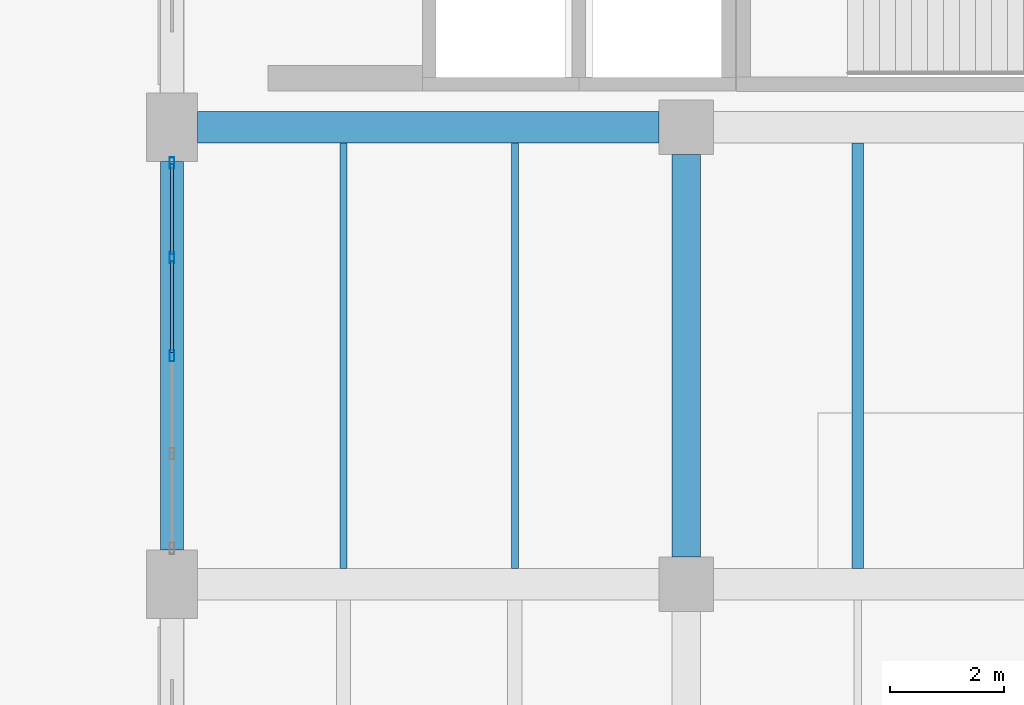
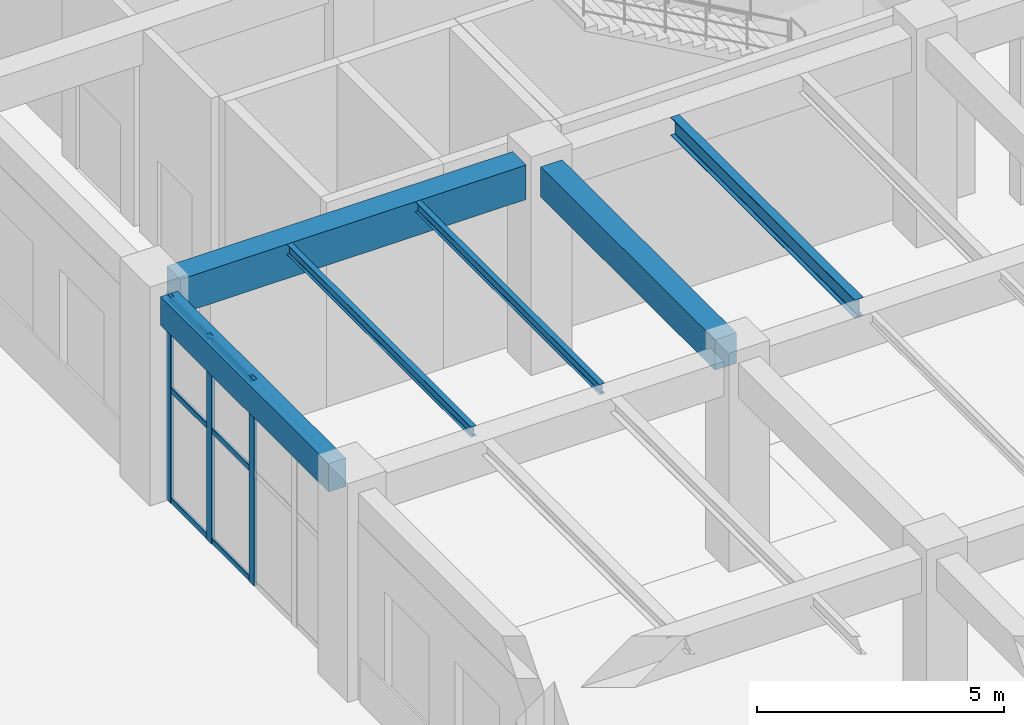
# One storey, part 67 of 121: 9 members, 6 beams, 1 element without a shape of its own.
"""IFC4 building model written with IfcOpenShell, lengths in metres."""

from ifc_helpers import new_model, si_unit, derived_unit, direction, frame, origin, origin_2d, place, context, subcontext, project, spatial, rectangle, hollow_rectangle, i_section, extrude, material, material_profile, profile_set, type_object, element, aggregate, save


model = new_model("IFC4")

# Units and contexts
model_context = context("Model", 3, precision=1e-05, world=origin(), true_north=direction((0.0, 1.0)))
body_context = subcontext(model_context, "Body", "Model", "MODEL_VIEW")
ifc_project = project(units=[si_unit("LENGTHUNIT", "METRE"), si_unit("AREAUNIT", "SQUARE_METRE"), si_unit("VOLUMEUNIT", "CUBIC_METRE"), si_unit("PLANEANGLEUNIT", "RADIAN"), si_unit("MASSUNIT", "GRAM", prefix="KILO"), derived_unit("THERMALTRANSMITTANCEUNIT", [(si_unit("MASSUNIT", "GRAM", prefix="KILO"), 1), (si_unit("TIMEUNIT", "SECOND"), -3), (si_unit("THERMODYNAMICTEMPERATUREUNIT", "KELVIN"), -1)])], contexts=[model_context])

# Site, building, storey
site_placement = place(None, origin())
site = spatial("IfcSite", under=ifc_project, at=site_placement, CompositionType="ELEMENT")
building_placement = place(site_placement, origin())
building = spatial("IfcBuilding", under=site, at=building_placement, Name="Zhenchuan Archway Interchange", CompositionType="ELEMENT")
storey_placement = place(building_placement, origin())
storey = spatial("IfcBuildingStorey", under=building, at=storey_placement, Name="L00", CompositionType="ELEMENT", Elevation=0.0)

# Beams
ifc_material_1 = material(Name="Concrete C40", Category="concrete")
ifc_material_profile_1 = material_profile(ifc_material_1, rectangle(XDim=0.5, YDim=0.75, at=origin_2d()), Name="RC 500x750")
ifc_profile_set_1 = profile_set([ifc_material_profile_1], Name="Concrete C40")
beam_type_1 = type_object("IfcBeamType", Name="BM_RC_500x750", PredefinedType="BEAM", material=ifc_profile_set_1)
beam_1_placement = place(storey_placement, frame((153.0, 40.47509765625, 4.705078125), z_axis=(0.0, 1.0, 0.0), x_axis=(-1.0, 0.0, 0.0)))
element("IfcBeam", 1, at=beam_1_placement, inside=storey, type_object=beam_type_1, Name="Beam 18:F-G (L00)", PredefinedType="BEAM", context=body_context, shape_type="SweptSolid", body=[
    extrude(rectangle(XDim=0.5, YDim=0.75, at=origin_2d()), origin(), (0.0, 0.0, 1.0), 7.0498046875),
])
ifc_material_profile_2 = material_profile(ifc_material_1, rectangle(XDim=0.550048828125, YDim=0.85009765625, at=origin_2d()), Name="RC 550x850")
ifc_profile_set_2 = profile_set([ifc_material_profile_2], Name="Concrete C40")
beam_type_2 = type_object("IfcBeamType", Name="BM_RC_550x850", PredefinedType="BEAM", material=ifc_profile_set_2)
beam_2_placement = place(storey_placement, frame((144.449951171875, 48.0, 4.655029296875), z_axis=(1.0, 0.0, 0.0), x_axis=(0.0, 1.0, 0.0)))
element("IfcBeam", 2, at=beam_2_placement, inside=storey, type_object=beam_type_2, Name="Beam G:17-18 (L00)", PredefinedType="BEAM", context=body_context, shape_type="SweptSolid", body=[
    extrude(rectangle(XDim=0.550048828125, YDim=0.85009765625, at=origin_2d()), origin(), (0.0, 0.0, 1.0), 8.074951171875),
])

# Curtain wall, members
ifc_material_2 = material(Name="Anodised Aluminium", Category="aluminium")
curtain_wall_type = type_object("IfcCurtainWallType", Name="CW_UNIT_2", PredefinedType="NOTDEFINED", material=ifc_material_2)
curtain_wall_placement = place(storey_placement, origin())
curtain_wall = element("IfcCurtainWall", 3, at=curtain_wall_placement, inside=storey, type_object=curtain_wall_type, Name="Unitised curtain wall CW:L00:021", PredefinedType="NOTDEFINED")
ifc_material_profile_3 = material_profile(ifc_material_2, hollow_rectangle(XDim=0.080078125, YDim=0.199951171875, WallThickness=0.00439453125, InnerFilletRadius=0.00439453125, OuterFilletRadius=0.009033203125, at=origin_2d()), Name="ALU 200x80x4.5")
ifc_profile_set_3 = profile_set([ifc_material_profile_3], Name="Anodised Aluminium")
member_type_1 = type_object("IfcMemberType", Name="CW_MUL_200", PredefinedType="MULLION", material=ifc_profile_set_3)
member_1_placement = place(storey_placement, frame((144.0, 44.0, 0.0), z_axis=(0.0, 0.0, 1.0), x_axis=(1.0, 0.0, 0.0)))
member_1 = element("IfcMember", 4, at=member_1_placement, type_object=member_type_1, Name="CW:L00:021 mullion 2", PredefinedType="MULLION", context=body_context, shape_type="SweptSolid", body=[
    extrude(hollow_rectangle(XDim=0.080078125, YDim=0.199951171875, WallThickness=0.00439453125, InnerFilletRadius=0.00439453125, OuterFilletRadius=0.009033203125, at=origin_2d()), origin(), (0.0, 0.0, 1.0), 5.080078125),
])
member_2_placement = place(storey_placement, frame((144.0, 45.716064453125, 0.0), z_axis=(0.0, 0.0, 1.0), x_axis=(1.0, 0.0, 0.0)))
member_2 = element("IfcMember", 5, at=member_2_placement, type_object=member_type_1, Name="CW:L00:021 mullion 3", PredefinedType="MULLION", context=body_context, shape_type="SweptSolid", body=[
    extrude(hollow_rectangle(XDim=0.080078125, YDim=0.199951171875, WallThickness=0.00439453125, InnerFilletRadius=0.00439453125, OuterFilletRadius=0.009033203125, at=origin_2d()), origin(), (0.0, 0.0, 1.0), 5.080078125),
])
member_3_placement = place(storey_placement, frame((144.0, 47.3720703125, 0.0), z_axis=(0.0, 0.0, 1.0), x_axis=(1.0, 0.0, 0.0)))
member_3 = element("IfcMember", 6, at=member_3_placement, type_object=member_type_1, Name="CW:L00:021 mullion 4", PredefinedType="MULLION", context=body_context, shape_type="SweptSolid", body=[
    extrude(hollow_rectangle(XDim=0.080078125, YDim=0.199951171875, WallThickness=0.00439453125, InnerFilletRadius=0.00439453125, OuterFilletRadius=0.009033203125, at=origin_2d()), origin(), (0.0, 0.0, 1.0), 5.080078125),
])
ifc_material_profile_4 = material_profile(ifc_material_2, hollow_rectangle(XDim=0.06005859375, YDim=0.139892578125, WallThickness=0.00341796875, InnerFilletRadius=0.00341796875, OuterFilletRadius=0.007080078125, at=origin_2d()), Name="ALU 140x60x3.5")
ifc_profile_set_4 = profile_set([ifc_material_profile_4], Name="Anodised Aluminium")
member_type_2 = type_object("IfcMemberType", Name="CW_TRN_140", PredefinedType="USERDEFINED", material=ifc_profile_set_4)
member_4_placement = place(storey_placement, frame((144.0, 44.06005859375, 0.06005859375), z_axis=(0.0, 1.0, 0.0), x_axis=(-1.0, 0.0, 0.0)))
member_4 = element("IfcMember", 7, at=member_4_placement, type_object=member_type_2, Name="CW:L00:021 transom 2-1", ObjectType="TRANSOM", PredefinedType="USERDEFINED", context=body_context, shape_type="SweptSolid", body=[
    extrude(hollow_rectangle(XDim=0.06005859375, YDim=0.139892578125, WallThickness=0.00341796875, InnerFilletRadius=0.00341796875, OuterFilletRadius=0.007080078125, at=origin_2d()), origin(), (0.0, 0.0, 1.0), 1.595947265625),
])
member_5_placement = place(storey_placement, frame((144.0, 44.06005859375, 2.782958984375), z_axis=(0.0, 1.0, 0.0), x_axis=(-1.0, 0.0, 0.0)))
member_5 = element("IfcMember", 8, at=member_5_placement, type_object=member_type_2, Name="CW:L00:021 transom 2-2", ObjectType="TRANSOM", PredefinedType="USERDEFINED", context=body_context, shape_type="SweptSolid", body=[
    extrude(hollow_rectangle(XDim=0.06005859375, YDim=0.139892578125, WallThickness=0.00341796875, InnerFilletRadius=0.00341796875, OuterFilletRadius=0.007080078125, at=origin_2d()), origin(), (0.0, 0.0, 1.0), 1.595947265625),
])
member_6_placement = place(storey_placement, frame((144.0, 44.06005859375, 5.0), z_axis=(0.0, 1.0, 0.0), x_axis=(-1.0, 0.0, 0.0)))
member_6 = element("IfcMember", 9, at=member_6_placement, type_object=member_type_2, Name="CW:L00:021 transom 2-3", ObjectType="TRANSOM", PredefinedType="USERDEFINED", context=body_context, shape_type="SweptSolid", body=[
    extrude(hollow_rectangle(XDim=0.06005859375, YDim=0.139892578125, WallThickness=0.00341796875, InnerFilletRadius=0.00341796875, OuterFilletRadius=0.007080078125, at=origin_2d()), origin(), (0.0, 0.0, 1.0), 1.595947265625),
])
member_7_placement = place(storey_placement, frame((144.0, 45.77587890625, 0.06005859375), z_axis=(0.0, 1.0, 0.0), x_axis=(-1.0, 0.0, 0.0)))
member_7 = element("IfcMember", 10, at=member_7_placement, type_object=member_type_2, Name="CW:L00:021 transom 3-1", ObjectType="TRANSOM", PredefinedType="USERDEFINED", context=body_context, shape_type="SweptSolid", body=[
    extrude(hollow_rectangle(XDim=0.06005859375, YDim=0.139892578125, WallThickness=0.00341796875, InnerFilletRadius=0.00341796875, OuterFilletRadius=0.007080078125, at=origin_2d()), origin(), (0.0, 0.0, 1.0), 1.576171875),
])
member_8_placement = place(storey_placement, frame((144.0, 45.77587890625, 2.782958984375), z_axis=(0.0, 1.0, 0.0), x_axis=(-1.0, 0.0, 0.0)))
member_8 = element("IfcMember", 11, at=member_8_placement, type_object=member_type_2, Name="CW:L00:021 transom 3-2", ObjectType="TRANSOM", PredefinedType="USERDEFINED", context=body_context, shape_type="SweptSolid", body=[
    extrude(hollow_rectangle(XDim=0.06005859375, YDim=0.139892578125, WallThickness=0.00341796875, InnerFilletRadius=0.00341796875, OuterFilletRadius=0.007080078125, at=origin_2d()), origin(), (0.0, 0.0, 1.0), 1.576171875),
])
member_9_placement = place(storey_placement, frame((144.0, 45.77587890625, 5.0), z_axis=(0.0, 1.0, 0.0), x_axis=(-1.0, 0.0, 0.0)))
member_9 = element("IfcMember", 12, at=member_9_placement, type_object=member_type_2, Name="CW:L00:021 transom 3-3", ObjectType="TRANSOM", PredefinedType="USERDEFINED", context=body_context, shape_type="SweptSolid", body=[
    extrude(hollow_rectangle(XDim=0.06005859375, YDim=0.139892578125, WallThickness=0.00341796875, InnerFilletRadius=0.00341796875, OuterFilletRadius=0.007080078125, at=origin_2d()), origin(), (0.0, 0.0, 1.0), 1.576171875),
])
aggregate(curtain_wall, [member_1, member_2, member_3, member_4, member_5, member_6, member_7, member_8, member_9])

# Beams
ifc_material_3 = material(Name="Steel Q355", Category="steel")
ifc_material_profile_5 = material_profile(ifc_material_3, i_section(OverallWidth=0.125, OverallDepth=0.25, WebThickness=0.006103515625, FlangeThickness=0.009033203125, FilletRadius=0.011962890625, at=origin_2d()), Name="HN 250x125")
ifc_profile_set_5 = profile_set([ifc_material_profile_5], Name="Steel Q355")
beam_type_3 = type_object("IfcBeamType", Name="JST_STL_HN250", PredefinedType="JOIST", material=ifc_profile_set_5)
for number, where, z_axis, x_axis, name in (
    (13, (147.0, 40.27490234375, 4.955078125), (0.0, 1.0, 0.0), (-1.0, 0.0, 0.0), "Secondary joist 17-18/F-G #1 (L00)"),
    (14, (150.0, 40.27490234375, 4.955078125), (0.0, 1.0, 0.0), (-1.0, 0.0, 0.0), "Secondary joist 17-18/F-G #2 (L00)"),
):
    element("IfcBeam", number, at=place(storey_placement, frame(where, z_axis=z_axis, x_axis=x_axis)), inside=storey, type_object=beam_type_3, Name=name, PredefinedType="JOIST", context=body_context, shape_type="SweptSolid", body=[
        extrude(i_section(OverallWidth=0.125, OverallDepth=0.25, WebThickness=0.006103515625, FlangeThickness=0.009033203125, FilletRadius=0.011962890625, at=origin_2d()), origin(), (0.0, 0.0, 1.0), 7.4501953125),
    ])
ifc_material_profile_6 = material_profile(ifc_material_3, i_section(OverallWidth=0.199951171875, OverallDepth=0.449951171875, WebThickness=0.009033203125, FlangeThickness=0.013916015625, FilletRadius=0.01806640625, at=origin_2d()), Name="HN 450x200")
ifc_profile_set_6 = profile_set([ifc_material_profile_6], Name="Steel Q355")
beam_type_4 = type_object("IfcBeamType", Name="JST_STL_HN450", PredefinedType="JOIST", material=ifc_profile_set_6)
beam_3_placement = place(storey_placement, frame((156.0, 40.27490234375, 4.85498046875), z_axis=(0.0, 1.0, 0.0), x_axis=(-1.0, 0.0, 0.0)))
element("IfcBeam", 15, at=beam_3_placement, inside=storey, type_object=beam_type_4, Name="Secondary joist 18-19/F-G #1 (L00)", PredefinedType="JOIST", context=body_context, shape_type="SweptSolid", body=[
    extrude(i_section(OverallWidth=0.199951171875, OverallDepth=0.449951171875, WebThickness=0.009033203125, FlangeThickness=0.013916015625, FilletRadius=0.01806640625, at=origin_2d()), origin(), (0.0, 0.0, 1.0), 7.4501953125),
])
ifc_material_profile_7 = material_profile(ifc_material_1, rectangle(XDim=0.39990234375, YDim=0.699951171875, at=origin_2d()), Name="RC 400x700")
ifc_profile_set_7 = profile_set([ifc_material_profile_7], Name="Concrete C40")
beam_type_5 = type_object("IfcBeamType", Name="SP_RC_400x700", PredefinedType="SPANDREL", material=ifc_profile_set_7)
beam_4_placement = place(storey_placement, frame((144.0, 40.60009765625, 4.72998046875), z_axis=(0.0, 1.0, 0.0), x_axis=(-1.0, 0.0, 0.0)))
element("IfcBeam", 16, at=beam_4_placement, inside=storey, type_object=beam_type_5, Name="Beam 17:F-G (L00)", PredefinedType="SPANDREL", context=body_context, shape_type="SweptSolid", body=[
    extrude(rectangle(XDim=0.39990234375, YDim=0.699951171875, at=origin_2d()), origin(), (0.0, 0.0, 1.0), 6.7998046875),
])

save(model, "model.ifc")
